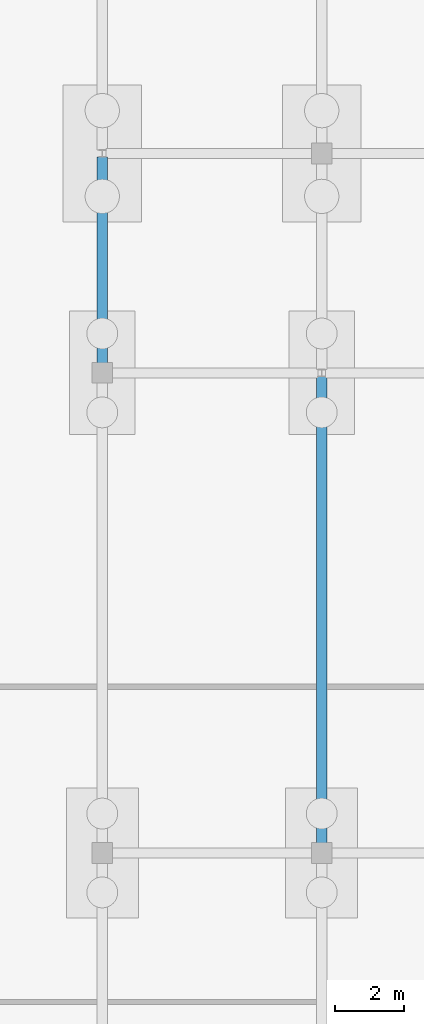
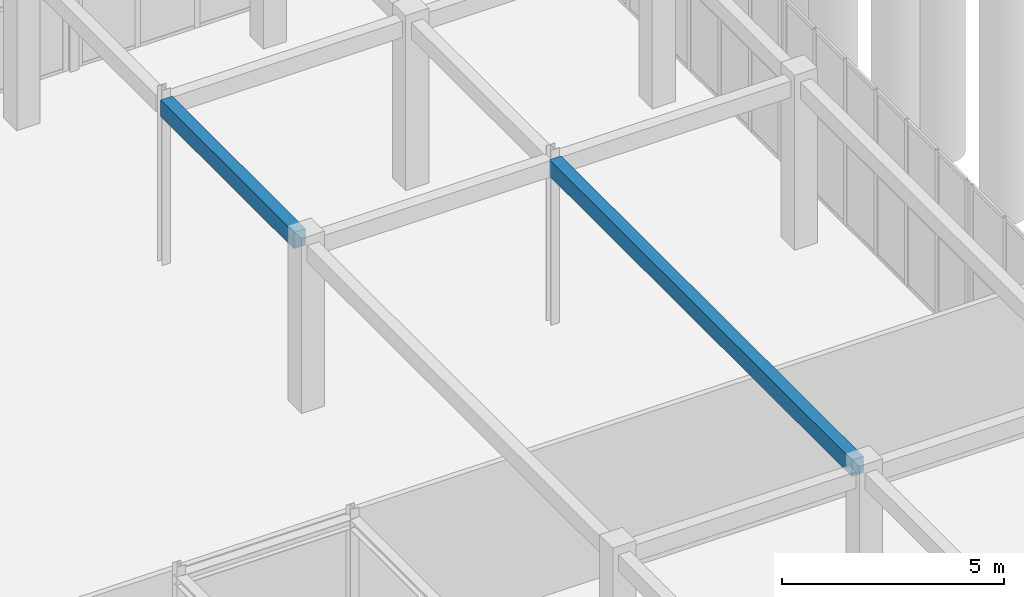
# One storey, part 107 of 192: 2 beams.
"""IFC4 building model written with IfcOpenShell, lengths in metres."""

from ifc_helpers import new_model, si_unit, direction, frame, origin, origin_2d, place, context, subcontext, project, spatial, rectangle, extrude, material, material_profile, profile_set, type_object, element, save


model = new_model("IFC4")

# Units and contexts
model_context = context("Model", 3, precision=1e-05, world=origin(), true_north=direction((0.0, 1.0)))
body_context = subcontext(model_context, "Body", "Model", "MODEL_VIEW")
ifc_project = project(units=[si_unit("LENGTHUNIT", "METRE"), si_unit("AREAUNIT", "SQUARE_METRE"), si_unit("VOLUMEUNIT", "CUBIC_METRE"), si_unit("PLANEANGLEUNIT", "RADIAN"), si_unit("MASSUNIT", "GRAM", prefix="KILO")], contexts=[model_context])

# Site, building, storey
site_placement = place(None, origin())
site = spatial("IfcSite", under=ifc_project, at=site_placement, CompositionType="ELEMENT")
building_placement = place(site_placement, origin())
building = spatial("IfcBuilding", under=site, at=building_placement, Name="Trelvath General Hospital", CompositionType="ELEMENT")
storey_placement = place(building_placement, origin())
storey = spatial("IfcBuildingStorey", under=building, at=storey_placement, Name="L00", CompositionType="ELEMENT", Elevation=0.0)

# Beams
ifc_material = material(Name="Concrete C35/45", Category="concrete")
ifc_material_profile = material_profile(ifc_material, rectangle(XDim=0.300048828125, YDim=0.449951171875, at=origin_2d()), Name="RCB300x450")
ifc_profile_set = profile_set([ifc_material_profile], Name="Concrete C35/45")
beam_type = type_object("IfcBeamType", Name="Beam RC300x450", PredefinedType="BEAM", material=ifc_profile_set)
beam_1_placement = place(storey_placement, frame((107.199951171875, 73.095947265625, 4.3349609375), z_axis=(0.0, 1.0, 0.0), x_axis=(-1.0, 0.0, 0.0)))
element("IfcBeam", 1, at=beam_1_placement, inside=storey, type_object=beam_type, Name="Cube Interior Ring Beam CUBE-E-T0 L00", PredefinedType="BEAM", context=body_context, shape_type="SweptSolid", body=[
    extrude(rectangle(XDim=0.300048828125, YDim=0.449951171875, at=origin_2d()), origin(), (0.0, 0.0, 1.0), 5.998046875),
])
beam_2_placement = place(storey_placement, frame((113.60009765625, 59.095947265625, 4.3349609375), z_axis=(0.0, 1.0, 0.0), x_axis=(-1.0, 0.0, 0.0)))
element("IfcBeam", 2, at=beam_2_placement, inside=storey, type_object=beam_type, Name="Cube Interior Ring Beam CUBE-E-T0 L00", PredefinedType="BEAM", context=body_context, shape_type="SweptSolid", body=[
    extrude(rectangle(XDim=0.300048828125, YDim=0.449951171875, at=origin_2d()), origin(), (0.0, 0.0, 1.0), 13.59814453125),
])

save(model, "model.ifc")
